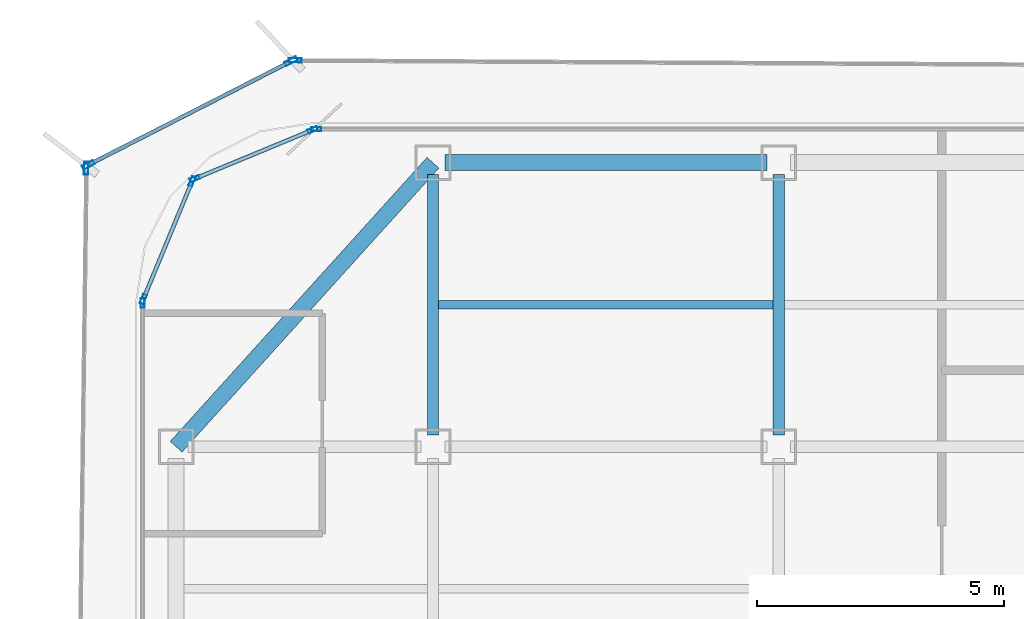
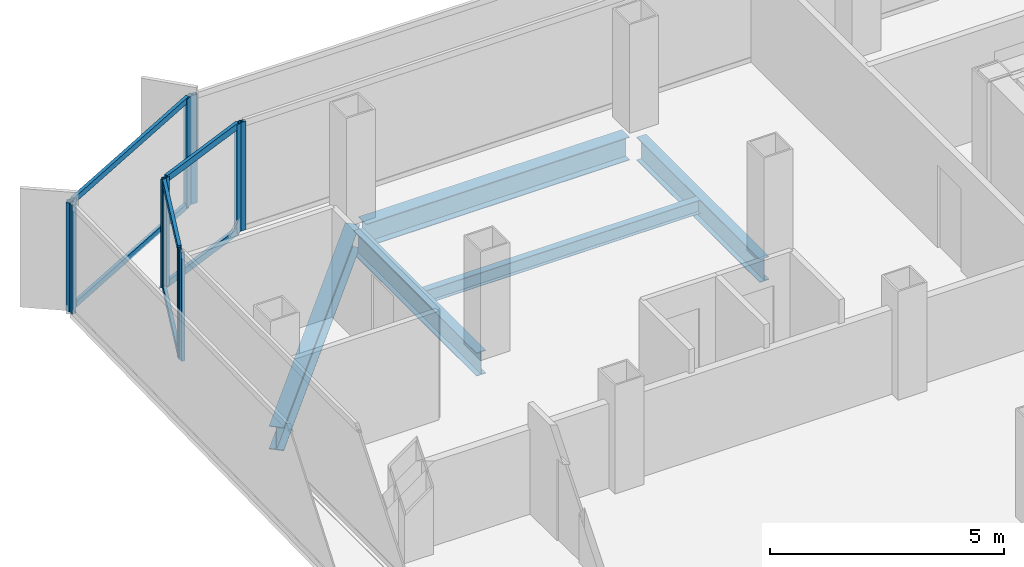
# One storey, part 6 of 15: 16 members, 5 beams, 7 elements without a shape of their own.
"""IFC4 building model written with IfcOpenShell, lengths in metres."""

from ifc_helpers import new_model, si_unit, direction, frame, origin, origin_2d, place, context, subcontext, project, spatial, hollow_rectangle, i_section, extrude, source, transform, mapped, material, layer, layer_set, material_profile, profile_set, type_object, element, aggregate, save


model = new_model("IFC4")

# Units and contexts
model_context = context("Model", 3, precision=1e-05, world=origin(), true_north=direction((0.0, 1.0)))
body_context = subcontext(model_context, "Body", "Model", "MODEL_VIEW")
ifc_project = project(units=[si_unit("LENGTHUNIT", "METRE"), si_unit("AREAUNIT", "SQUARE_METRE"), si_unit("VOLUMEUNIT", "CUBIC_METRE"), si_unit("PLANEANGLEUNIT", "RADIAN"), si_unit("MASSUNIT", "GRAM", prefix="KILO")], contexts=[model_context])

# Site, building, storey
site_placement = place(None, origin())
site = spatial("IfcSite", under=ifc_project, at=site_placement, CompositionType="ELEMENT")
building_placement = place(site_placement, origin())
building = spatial("IfcBuilding", under=site, at=building_placement, Name="Kolveth Station Tower", CompositionType="ELEMENT")
storey_placement = place(building_placement, frame((0.0, 0.0, 184.89990234375)))
storey = spatial("IfcBuildingStorey", under=building, at=storey_placement, Name="L52", CompositionType="ELEMENT", Elevation=184.89990234375)

# Beams
ifc_material_1 = material(Name="Steel S355", Category="steel")
ifc_material_profile_1 = material_profile(ifc_material_1, i_section(OverallWidth=0.323974609375, OverallDepth=0.611083984375, WebThickness=0.0126953125, FlangeThickness=0.01904296875, at=origin_2d()), Name="W610x155")
ifc_profile_set_1 = profile_set([ifc_material_profile_1], Name="Steel S355")
beam_type_1 = type_object("IfcBeamType", Name="Beam_SP2", PredefinedType="SPANDREL", material=ifc_profile_set_1)
shared_shape_1 = source(origin(), body_context, "Body", "SweptSolid", [
    extrude(i_section(OverallWidth=0.323974609375, OverallDepth=0.611083984375, WebThickness=0.0126953125, FlangeThickness=0.01904296875, at=origin_2d()), origin(), (0.0, 0.0, 1.0), 7.75244140625),
])
beam_1_placement = place(storey_placement, frame((6.0, 34.5, -0.555419921875), z_axis=(-0.670740965555, -0.74169168603, 0.0), x_axis=(0.74169168603, -0.670740965555, 0.0)))
element("IfcBeam", 1, at=beam_1_placement, inside=storey, type_object=beam_type_1, Name="L52 Corner Edge Girder BM-L52-CNR-NW", PredefinedType="SPANDREL", context=body_context, shape_type="MappedRepresentation", body=[
    mapped(shared_shape_1, transform((0.0, 0.0, 0.0), x_axis=(1.0, 0.0, 0.0), y_axis=(0.0, 1.0, 0.0), z_axis=(0.0, 0.0, 1.0), scale=1.0)),
])
shared_shape_2 = source(origin(), body_context, "Body", "SweptSolid", [
    extrude(i_section(OverallWidth=0.323974609375, OverallDepth=0.611083984375, WebThickness=0.0126953125, FlangeThickness=0.01904296875, at=origin_2d()), origin(), (0.0, 0.0, 1.0), 6.52001953125),
])
beam_2_placement = place(storey_placement, frame((6.239990234375, 34.5, -0.555419921875), z_axis=(1.0, 0.0, 0.0), x_axis=(0.0, 1.0, 0.0)))
element("IfcBeam", 2, at=beam_2_placement, inside=storey, type_object=beam_type_1, Name="L52 Perimeter Spandrel BM-L52-PN-1", PredefinedType="SPANDREL", context=body_context, shape_type="MappedRepresentation", body=[
    mapped(shared_shape_2, transform((0.0, 0.0, 0.0), x_axis=(1.0, 0.0, 0.0), y_axis=(0.0, 1.0, 0.0), z_axis=(0.0, 0.0, 1.0), scale=1.0)),
])
ifc_material_profile_2 = material_profile(ifc_material_1, i_section(OverallWidth=0.22900390625, OverallDepth=0.612060546875, WebThickness=0.011962890625, FlangeThickness=0.01953125, at=origin_2d()), Name="W610x125")
ifc_profile_set_2 = profile_set([ifc_material_profile_2], Name="Steel S355")
beam_type_2 = type_object("IfcBeamType", Name="Beam_B5", PredefinedType="BEAM", material=ifc_profile_set_2)
shared_shape_3 = source(origin(), body_context, "Body", "SweptSolid", [
    extrude(i_section(OverallWidth=0.22900390625, OverallDepth=0.612060546875, WebThickness=0.011962890625, FlangeThickness=0.01953125, at=origin_2d()), origin(), (0.0, 0.0, 1.0), 5.27001953125),
])
for number, where, z_axis, x_axis, name in (
    (3, (6.0, 28.989990234375, -0.555908203125), (0.0, 1.0, 0.0), (-1.0, 0.0, 0.0), "L52 Primary Girder BM-L52-GX60-6"),
    (4, (13.0, 28.989990234375, -0.555908203125), (0.0, 1.0, 0.0), (-1.0, 0.0, 0.0), "L52 Primary Girder BM-L52-GX130-6"),
):
    element("IfcBeam", number, at=place(storey_placement, frame(where, z_axis=z_axis, x_axis=x_axis)), inside=storey, type_object=beam_type_2, Name=name, PredefinedType="BEAM", context=body_context, shape_type="MappedRepresentation", body=[
        mapped(shared_shape_3, transform((0.0, 0.0, 0.0), x_axis=(1.0, 0.0, 0.0), y_axis=(0.0, 1.0, 0.0), z_axis=(0.0, 0.0, 1.0), scale=1.0)),
    ])
ifc_material_profile_3 = material_profile(ifc_material_1, i_section(OverallWidth=0.1708984375, OverallDepth=0.35205078125, WebThickness=0.0068359375, FlangeThickness=0.009765625, at=origin_2d()), Name="W360x44")
ifc_profile_set_3 = profile_set([ifc_material_profile_3], Name="Steel S355")
beam_type_3 = type_object("IfcBeamType", Name="Beam_J2", PredefinedType="JOIST", material=ifc_profile_set_3)
shared_shape_4 = source(origin(), body_context, "Body", "SweptSolid", [
    extrude(i_section(OverallWidth=0.1708984375, OverallDepth=0.35205078125, WebThickness=0.0068359375, FlangeThickness=0.009765625, at=origin_2d()), origin(), (0.0, 0.0, 1.0), 6.77490234375),
])
beam_3_placement = place(storey_placement, frame((6.112548828125, 31.625, -0.42578125), z_axis=(1.0, 0.0, 0.0), x_axis=(0.0, 1.0, 0.0)))
element("IfcBeam", 5, at=beam_3_placement, inside=storey, type_object=beam_type_3, Name="L52 Secondary Joist JST-L52-2-6", PredefinedType="JOIST", context=body_context, shape_type="MappedRepresentation", body=[
    mapped(shared_shape_4, transform((0.0, 0.0, 0.0), x_axis=(1.0, 0.0, 0.0), y_axis=(0.0, 1.0, 0.0), z_axis=(0.0, 0.0, 1.0), scale=1.0)),
])

# Curtain wall, member
ifc_material_2 = material(Name="Aluminium 6063-T6 and low-E dark glass", Category="aluminium")
ifc_layer_1 = layer(ifc_material_2, 0.18994140625)
ifc_layer_set_1 = layer_set([ifc_layer_1], Name="Aluminium 6063-T6 and low-E dark glass")
curtain_wall_type_1 = type_object("IfcCurtainWallType", Name="CurtainWall_CW-Z2", PredefinedType="NOTDEFINED", material=ifc_layer_set_1)
curtain_wall_1_placement = place(storey_placement, origin())
curtain_wall_1 = element("IfcCurtainWall", 6, at=curtain_wall_1_placement, inside=storey, type_object=curtain_wall_type_1, Name="L52 Inner Thermal Curtain Wall 6", PredefinedType="NOTDEFINED")
ifc_material_3 = material(Name="Black anodized aluminium 6063-T6", Category="aluminium")
ifc_material_profile_4 = material_profile(ifc_material_3, hollow_rectangle(XDim=0.080078125, YDim=0.199951171875, WallThickness=0.0048828125, at=origin_2d()), Name="ALU-80x200x5")
ifc_profile_set_4 = profile_set([ifc_material_profile_4], Name="Black anodized aluminium 6063-T6")
member_type_1 = type_object("IfcMemberType", Name="Mullion_ML2", PredefinedType="MULLION", material=ifc_profile_set_4)
shared_shape_5 = source(origin(), body_context, "Body", "SweptSolid", [
    extrude(hollow_rectangle(XDim=0.080078125, YDim=0.199951171875, WallThickness=0.0048828125, at=origin_2d()), origin(), (0.0, 0.0, 1.0), 2.840087890625),
])
member_1_placement = place(storey_placement, frame((3.639892578125, 35.179931640625, 0.0), z_axis=(0.0, 0.0, 1.0), x_axis=(0.0, -1.0, 0.0)))
member_1 = element("IfcMember", 7, at=member_1_placement, type_object=member_type_1, Name="CW-Z2 mullion 2", PredefinedType="MULLION", context=body_context, shape_type="MappedRepresentation", body=[
    mapped(shared_shape_5, transform((0.0, 0.0, 0.0), x_axis=(1.0, 0.0, 0.0), y_axis=(0.0, 1.0, 0.0), z_axis=(0.0, 0.0, 1.0), scale=1.0)),
])
aggregate(curtain_wall_1, [member_1])

# Curtain wall, members
curtain_wall_2_placement = place(storey_placement, origin())
curtain_wall_2 = element("IfcCurtainWall", 8, at=curtain_wall_2_placement, inside=storey, type_object=curtain_wall_type_1, Name="L52 Inner Thermal Curtain Wall 7", PredefinedType="NOTDEFINED")
member_2_placement = place(storey_placement, frame((3.56298828125, 35.164794921875, 0.0), z_axis=(0.0, 0.0, 1.0), x_axis=(0.382697753087, -0.923873600544, 0.0)))
member_2 = element("IfcMember", 9, at=member_2_placement, type_object=member_type_1, Name="CW-Z2 mullion 1", PredefinedType="MULLION", context=body_context, shape_type="MappedRepresentation", body=[
    mapped(shared_shape_5, transform((0.0, 0.0, 0.0), x_axis=(1.0, 0.0, 0.0), y_axis=(0.0, 1.0, 0.0), z_axis=(0.0, 0.0, 1.0), scale=1.0)),
])
member_3_placement = place(storey_placement, frame((1.17626953125, 34.176025390625, 0.0), z_axis=(0.0, 0.0, 1.0), x_axis=(0.382697753087, -0.923873600544, 0.0)))
member_3 = element("IfcMember", 10, at=member_3_placement, type_object=member_type_1, Name="CW-Z2 mullion 2", PredefinedType="MULLION", context=body_context, shape_type="MappedRepresentation", body=[
    mapped(shared_shape_5, transform((0.0, 0.0, 0.0), x_axis=(1.0, 0.0, 0.0), y_axis=(0.0, 1.0, 0.0), z_axis=(0.0, 0.0, 1.0), scale=1.0)),
])

curtain_wall_3_placement = place(storey_placement, origin())
curtain_wall_3 = element("IfcCurtainWall", 11, at=curtain_wall_3_placement, inside=storey, type_object=curtain_wall_type_1, Name="L52 Inner Thermal Curtain Wall 8", PredefinedType="NOTDEFINED")
member_4_placement = place(storey_placement, frame((1.1240234375, 34.123779296875, 0.0), z_axis=(0.0, 0.0, 1.0), x_axis=(0.923873600544, -0.382697753087, 0.0)))
member_4 = element("IfcMember", 12, at=member_4_placement, type_object=member_type_1, Name="CW-Z2 mullion 1", PredefinedType="MULLION", context=body_context, shape_type="MappedRepresentation", body=[
    mapped(shared_shape_5, transform((0.0, 0.0, 0.0), x_axis=(1.0, 0.0, 0.0), y_axis=(0.0, 1.0, 0.0), z_axis=(0.0, 0.0, 1.0), scale=1.0)),
])
member_5_placement = place(storey_placement, frame((0.13525390625, 31.737060546875, 0.0), z_axis=(0.0, 0.0, 1.0), x_axis=(0.923873600544, -0.382697753087, 0.0)))
member_5 = element("IfcMember", 13, at=member_5_placement, type_object=member_type_1, Name="CW-Z2 mullion 2", PredefinedType="MULLION", context=body_context, shape_type="MappedRepresentation", body=[
    mapped(shared_shape_5, transform((0.0, 0.0, 0.0), x_axis=(1.0, 0.0, 0.0), y_axis=(0.0, 1.0, 0.0), z_axis=(0.0, 0.0, 1.0), scale=1.0)),
])

# Curtain wall, member
curtain_wall_4_placement = place(storey_placement, origin())
curtain_wall_4 = element("IfcCurtainWall", 14, at=curtain_wall_4_placement, inside=storey, type_object=curtain_wall_type_1, Name="L52 Inner Thermal Curtain Wall 9", PredefinedType="NOTDEFINED")
member_6_placement = place(storey_placement, frame((0.1201171875, 31.659912109375, 0.0), z_axis=(0.0, 0.0, 1.0), x_axis=(1.0, 0.0, 0.0)))
member_6 = element("IfcMember", 15, at=member_6_placement, type_object=member_type_1, Name="CW-Z2 mullion 1", PredefinedType="MULLION", context=body_context, shape_type="MappedRepresentation", body=[
    mapped(shared_shape_5, transform((0.0, 0.0, 0.0), x_axis=(1.0, 0.0, 0.0), y_axis=(0.0, 1.0, 0.0), z_axis=(0.0, 0.0, 1.0), scale=1.0)),
])
aggregate(curtain_wall_4, [member_6])

ifc_material_4 = material(Name="Black anodized aluminium 6063-T6 and dark solar glass", Category="aluminium")
ifc_layer_2 = layer(ifc_material_4, 0.159912109375)
ifc_layer_set_2 = layer_set([ifc_layer_2], Name="Black anodized aluminium 6063-T6 and dark solar glass")
curtain_wall_type_2 = type_object("IfcCurtainWallType", Name="OUTER SKIN CW-OS", PredefinedType="NOTDEFINED", material=ifc_layer_set_2)
curtain_wall_5_placement = place(storey_placement, origin())
curtain_wall_5 = element("IfcCurtainWall", 16, at=curtain_wall_5_placement, inside=storey, type_object=curtain_wall_type_2, Name="L52 Outer Ventilated Skin Curtain Wall 4", PredefinedType="NOTDEFINED")
ifc_material_profile_5 = material_profile(ifc_material_3, hollow_rectangle(XDim=0.090087890625, YDim=0.260009765625, WallThickness=0.0048828125, at=origin_2d()), Name="ALU-90x260x5")
ifc_profile_set_5 = profile_set([ifc_material_profile_5], Name="Black anodized aluminium 6063-T6")
member_type_2 = type_object("IfcMemberType", Name="FIN MULLION ML-OS", PredefinedType="MULLION", material=ifc_profile_set_5)
shared_shape_6 = source(origin(), body_context, "Body", "SweptSolid", [
    extrude(hollow_rectangle(XDim=0.090087890625, YDim=0.260009765625, WallThickness=0.0048828125, at=origin_2d()), origin(), (0.0, 0.0, 1.0), 2.840087890625),
])
member_7_placement = place(storey_placement, frame((3.212646484375, 36.57470703125, 0.0), z_axis=(0.0, 0.0, 1.0), x_axis=(-0.005549251373, -0.999984602786, 0.0)))
member_7 = element("IfcMember", 17, at=member_7_placement, type_object=member_type_2, Name="CW-OS mullion 2", PredefinedType="MULLION", context=body_context, shape_type="MappedRepresentation", body=[
    mapped(shared_shape_6, transform((0.0, 0.0, 0.0), x_axis=(1.0, 0.0, 0.0), y_axis=(0.0, 1.0, 0.0), z_axis=(0.0, 0.0, 1.0), scale=1.0)),
])
aggregate(curtain_wall_5, [member_7])

# Curtain wall, members
curtain_wall_6_placement = place(storey_placement, origin())
curtain_wall_6 = element("IfcCurtainWall", 18, at=curtain_wall_6_placement, inside=storey, type_object=curtain_wall_type_2, Name="L52 Outer Ventilated Skin Curtain Wall 5", PredefinedType="NOTDEFINED")
member_8_placement = place(storey_placement, frame((3.127685546875, 36.554443359375, 0.0), z_axis=(0.0, 0.0, 1.0), x_axis=(0.455191237516, -0.890393697916, 0.0)))
member_8 = element("IfcMember", 19, at=member_8_placement, type_object=member_type_2, Name="CW-OS mullion 1", PredefinedType="MULLION", context=body_context, shape_type="MappedRepresentation", body=[
    mapped(shared_shape_6, transform((0.0, 0.0, 0.0), x_axis=(1.0, 0.0, 0.0), y_axis=(0.0, 1.0, 0.0), z_axis=(0.0, 0.0, 1.0), scale=1.0)),
])
member_9_placement = place(storey_placement, frame((-0.9794921875, 34.454833984375, 0.0), z_axis=(0.0, 0.0, 1.0), x_axis=(0.455191237516, -0.890393697916, 0.0)))
member_9 = element("IfcMember", 20, at=member_9_placement, type_object=member_type_2, Name="CW-OS mullion 2", PredefinedType="MULLION", context=body_context, shape_type="MappedRepresentation", body=[
    mapped(shared_shape_6, transform((0.0, 0.0, 0.0), x_axis=(1.0, 0.0, 0.0), y_axis=(0.0, 1.0, 0.0), z_axis=(0.0, 0.0, 1.0), scale=1.0)),
])

# Curtain wall, member
curtain_wall_7_placement = place(storey_placement, origin())
curtain_wall_7 = element("IfcCurtainWall", 21, at=curtain_wall_7_placement, inside=storey, type_object=curtain_wall_type_2, Name="L52 Outer Ventilated Skin Curtain Wall 6", PredefinedType="NOTDEFINED")
member_10_placement = place(storey_placement, frame((-1.02001953125, 34.389404296875, 0.0), z_axis=(0.0, 0.0, 1.0), x_axis=(0.999911819587, -0.01327979858, 0.0)))
member_10 = element("IfcMember", 22, at=member_10_placement, type_object=member_type_2, Name="CW-OS mullion 1", PredefinedType="MULLION", context=body_context, shape_type="MappedRepresentation", body=[
    mapped(shared_shape_6, transform((0.0, 0.0, 0.0), x_axis=(1.0, 0.0, 0.0), y_axis=(0.0, 1.0, 0.0), z_axis=(0.0, 0.0, 1.0), scale=1.0)),
])
aggregate(curtain_wall_7, [member_10])

# Member
ifc_material_profile_6 = material_profile(ifc_material_3, hollow_rectangle(XDim=0.080078125, YDim=0.169921875, WallThickness=0.0048828125, at=origin_2d()), Name="ALU-80x170x5")
ifc_profile_set_6 = profile_set([ifc_material_profile_6], Name="Black anodized aluminium 6063-T6")
member_type_3 = type_object("IfcMemberType", Name="Transom_TR2", PredefinedType="USERDEFINED", material=ifc_profile_set_6)
shared_shape_7 = source(origin(), body_context, "Body", "SweptSolid", [
    extrude(hollow_rectangle(XDim=0.080078125, YDim=0.169921875, WallThickness=0.0048828125, at=origin_2d()), origin(), (0.0, 0.0, 1.0), 2.50341796875),
])
member_11_placement = place(storey_placement, frame((3.526123046875, 35.1494140625, 0.0400390625), z_axis=(-0.923888472039, -0.382661849723, 0.0), x_axis=(0.382661849723, -0.923888472039, 0.0)))
member_11 = element("IfcMember", 23, at=member_11_placement, type_object=member_type_3, Name="CW-Z2 transom 1.1", ObjectType="TRANSOM", PredefinedType="USERDEFINED", context=body_context, shape_type="MappedRepresentation", body=[
    mapped(shared_shape_7, transform((0.0, 0.0, 0.0), x_axis=(1.0, 0.0, 0.0), y_axis=(0.0, 1.0, 0.0), z_axis=(0.0, 0.0, 1.0), scale=1.0)),
])

member_12_placement = place(storey_placement, frame((3.526123046875, 35.1494140625, 2.800048828125), z_axis=(-0.923888472039, -0.382661849723, 0.0), x_axis=(0.382661849723, -0.923888472039, 0.0)))
member_12 = element("IfcMember", 24, at=member_12_placement, type_object=member_type_3, Name="CW-Z2 transom 1.2", ObjectType="TRANSOM", PredefinedType="USERDEFINED", context=body_context, shape_type="MappedRepresentation", body=[
    mapped(shared_shape_7, transform((0.0, 0.0, 0.0), x_axis=(1.0, 0.0, 0.0), y_axis=(0.0, 1.0, 0.0), z_axis=(0.0, 0.0, 1.0), scale=1.0)),
])

aggregate(curtain_wall_2, [member_2, member_3, member_11, member_12])

member_13_placement = place(storey_placement, frame((1.108642578125, 34.086669921875, 0.0400390625), z_axis=(-0.382696328882, -0.923874190494, 0.0), x_axis=(0.923874190494, -0.382696328882, 0.0)))
member_13 = element("IfcMember", 25, at=member_13_placement, type_object=member_type_3, Name="CW-Z2 transom 1.1", ObjectType="TRANSOM", PredefinedType="USERDEFINED", context=body_context, shape_type="MappedRepresentation", body=[
    mapped(shared_shape_7, transform((0.0, 0.0, 0.0), x_axis=(1.0, 0.0, 0.0), y_axis=(0.0, 1.0, 0.0), z_axis=(0.0, 0.0, 1.0), scale=1.0)),
])

member_14_placement = place(storey_placement, frame((1.108642578125, 34.086669921875, 2.800048828125), z_axis=(-0.382696328882, -0.923874190494, 0.0), x_axis=(0.923874190494, -0.382696328882, 0.0)))
member_14 = element("IfcMember", 26, at=member_14_placement, type_object=member_type_3, Name="CW-Z2 transom 1.2", ObjectType="TRANSOM", PredefinedType="USERDEFINED", context=body_context, shape_type="MappedRepresentation", body=[
    mapped(shared_shape_7, transform((0.0, 0.0, 0.0), x_axis=(1.0, 0.0, 0.0), y_axis=(0.0, 1.0, 0.0), z_axis=(0.0, 0.0, 1.0), scale=1.0)),
])

aggregate(curtain_wall_3, [member_4, member_5, member_13, member_14])

ifc_material_profile_7 = material_profile(ifc_material_3, hollow_rectangle(XDim=0.080078125, YDim=0.14990234375, WallThickness=0.0048828125, at=origin_2d()), Name="ALU-80x150x5")
ifc_profile_set_7 = profile_set([ifc_material_profile_7], Name="Black anodized aluminium 6063-T6")
member_type_4 = type_object("IfcMemberType", Name="Transom_TR-OS", PredefinedType="USERDEFINED", material=ifc_profile_set_7)
shared_shape_8 = source(origin(), body_context, "Body", "SweptSolid", [
    extrude(hollow_rectangle(XDim=0.080078125, YDim=0.14990234375, WallThickness=0.0048828125, at=origin_2d()), origin(), (0.0, 0.0, 1.0), 4.522705078125),
])
member_15_placement = place(storey_placement, frame((3.087646484375, 36.533935546875, 0.0400390625), z_axis=(-0.89040794405, -0.455163369762, 0.0), x_axis=(0.455163369762, -0.89040794405, 0.0)))
member_15 = element("IfcMember", 27, at=member_15_placement, type_object=member_type_4, Name="CW-OS transom 1.1", ObjectType="TRANSOM", PredefinedType="USERDEFINED", context=body_context, shape_type="MappedRepresentation", body=[
    mapped(shared_shape_8, transform((0.0, 0.0, 0.0), x_axis=(1.0, 0.0, 0.0), y_axis=(0.0, 1.0, 0.0), z_axis=(0.0, 0.0, 1.0), scale=1.0)),
])

member_16_placement = place(storey_placement, frame((3.087646484375, 36.533935546875, 2.800048828125), z_axis=(-0.89040794405, -0.455163369762, 0.0), x_axis=(0.455163369762, -0.89040794405, 0.0)))
member_16 = element("IfcMember", 28, at=member_16_placement, type_object=member_type_4, Name="CW-OS transom 1.2", ObjectType="TRANSOM", PredefinedType="USERDEFINED", context=body_context, shape_type="MappedRepresentation", body=[
    mapped(shared_shape_8, transform((0.0, 0.0, 0.0), x_axis=(1.0, 0.0, 0.0), y_axis=(0.0, 1.0, 0.0), z_axis=(0.0, 0.0, 1.0), scale=1.0)),
])

aggregate(curtain_wall_6, [member_8, member_9, member_15, member_16])

save(model, "model.ifc")
